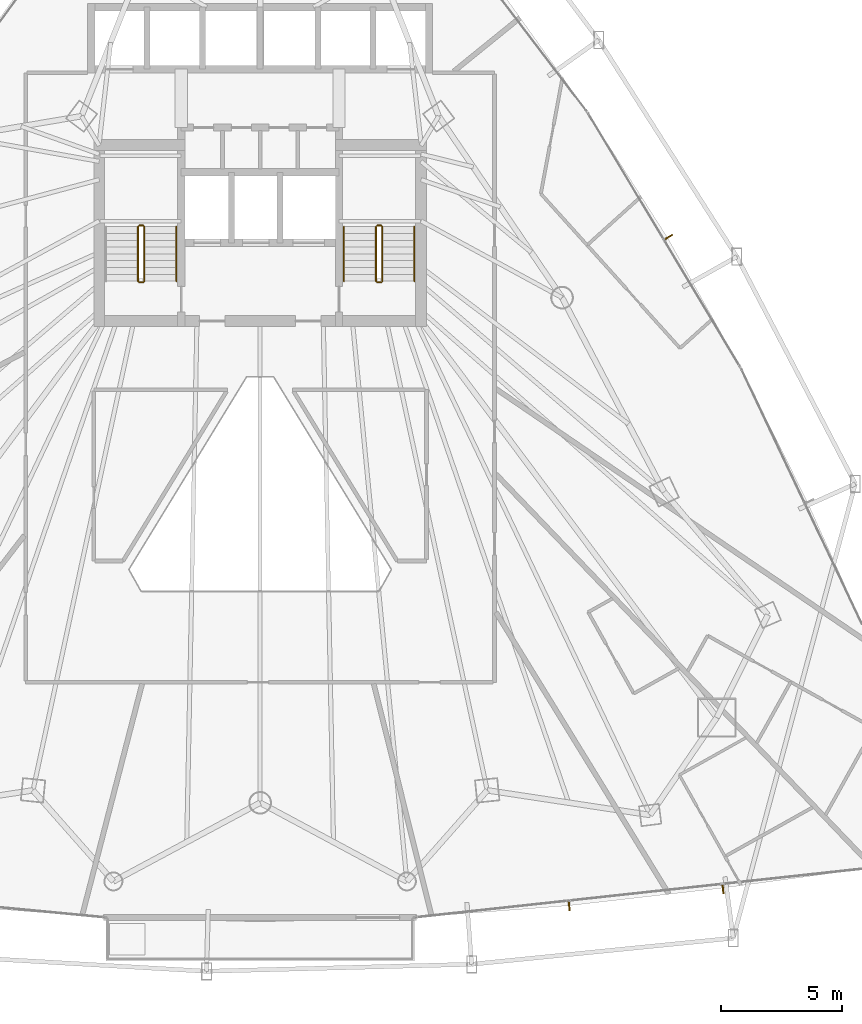
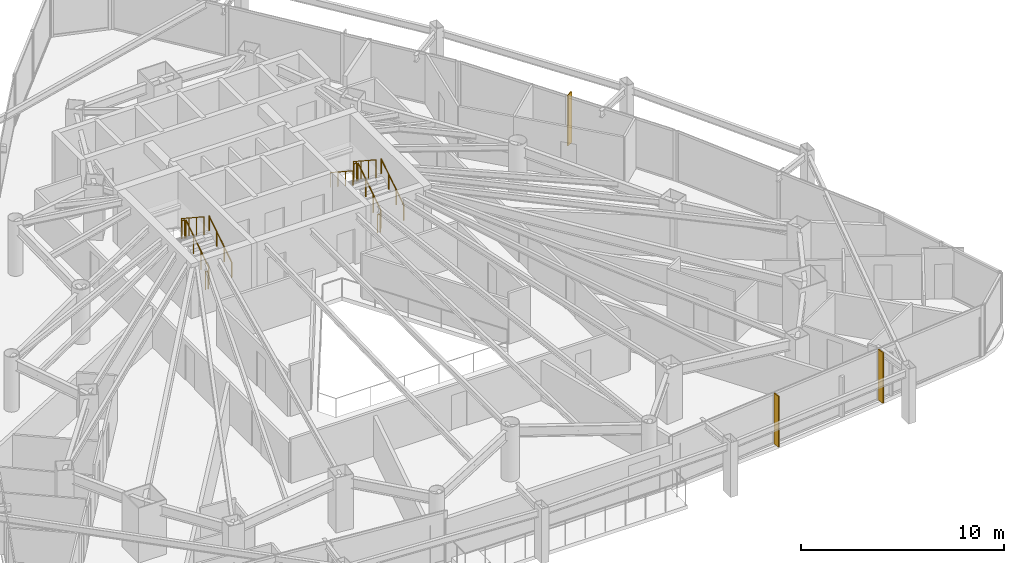
# One storey, part 33 of 34: 11 railings, 3 shading devices.
"""IFC4 building model written with IfcOpenShell, lengths in metres."""

from ifc_helpers import new_model, si_unit, direction, frame, origin, origin_2d, place, context, subcontext, project, spatial, rectangle, circle, extrude, material, layer, layer_set, type_object, element, save


model = new_model("IFC4")

# Units and contexts
model_context = context("Model", 3, precision=1e-05, world=origin(), true_north=direction((0.0, 1.0)))
body_context = subcontext(model_context, "Body", "Model", "MODEL_VIEW")
ifc_project = project(units=[si_unit("LENGTHUNIT", "METRE"), si_unit("AREAUNIT", "SQUARE_METRE"), si_unit("VOLUMEUNIT", "CUBIC_METRE"), si_unit("PLANEANGLEUNIT", "RADIAN"), si_unit("MASSUNIT", "GRAM", prefix="KILO")], contexts=[model_context])

# Site, building, storey
site_placement = place(None, origin())
site = spatial("IfcSite", under=ifc_project, at=site_placement, CompositionType="ELEMENT")
building_placement = place(site_placement, origin())
building = spatial("IfcBuilding", under=site, at=building_placement, Name="Orvanel Arch Residences", CompositionType="ELEMENT")
storey_placement = place(building_placement, frame((0.0, 0.0, 74.14990234375)))
storey = spatial("IfcBuildingStorey", under=building, at=storey_placement, Name="L20", CompositionType="ELEMENT", Elevation=74.14990234375)

# Shading devices
ifc_material_1 = material(Name="Bronze-anodised aluminium AA6063-T6", Category="aluminium")
ifc_layer = layer(ifc_material_1, 0.06005859375)
ifc_layer_set = layer_set([ifc_layer], Name="Bronze-anodised aluminium AA6063-T6")
shading_device_type = type_object("IfcShadingDeviceType", Name="FIN-BRZ-380", PredefinedType="USERDEFINED", material=ifc_layer_set)
for number, where, z_axis, x_axis, name in (
    (1, (45.72509765625, 2.593017578125, 0.0), (0.0, 0.0, 1.0), (0.107999355706, -0.994150963972, 0.0), "L20 Anodised Bronze Mullion FIN 01"),
    (2, (52.05908203125, 3.281982421875, 0.0), (0.0, 0.0, 1.0), (0.107999355706, -0.994150963972, 0.0), "L20 Anodised Bronze Mullion FIN 02"),
    (3, (49.818115234375, 30.133056640625, 0.0), (0.0, 0.0, 1.0), (0.857167300702, 0.51503807491, 0.0), "L20 Anodised Bronze Mullion FIN 01"),
):
    element("IfcShadingDevice", number, at=place(storey_placement, frame(where, z_axis=z_axis, x_axis=x_axis)), inside=storey, type_object=shading_device_type, Name=name, ObjectType="FIN", PredefinedType="USERDEFINED", context=body_context, shape_type="SweptSolid", body=[
        extrude(rectangle(XDim=0.3798828125, YDim=0.06005859375, at=origin_2d()), origin(), (0.0, 0.0, 1.0), 3.06005859375),
    ])

# Railings
ifc_material_2 = material(Name="Structural steel AS/NZS 1163 C350L0 (Grade 350)", Category="steel")
railing_type_1 = type_object("IfcRailingType", Name="RL-STAIR-GUARD", PredefinedType="GUARDRAIL", material=ifc_material_2)
railing_1_placement = place(storey_placement, frame((28.22998046875, 28.320068359375, 0.183349609375)))
element("IfcRailing", 4, at=railing_1_placement, inside=storey, type_object=railing_type_1, Name="L20 ST-1 stair guard 1", PredefinedType="GUARDRAIL", context=body_context, shape_type="SweptSolid", body=[
    extrude(circle(Radius=0.02392578125, at=origin_2d()), frame((0.0, 0.001220703125, 1.076904296875), z_axis=(0.0, 0.836595146698, 0.547821650285), x_axis=(-1.0, 0.0, 0.0)), (0.0, 0.0, 1.0), 2.674560546875),
    extrude(circle(Radius=0.02099609375, at=origin_2d()), origin(), (0.0, 0.0, 1.0), 1.050048828125),
    extrude(circle(Radius=0.02099609375, at=origin_2d()), frame((0.0, 0.74658203125, 0.489013671875)), (0.0, 0.0, 1.0), 1.050048828125),
    extrude(circle(Radius=0.02099609375, at=origin_2d()), frame((0.0, 1.493408203125, 0.977783203125)), (0.0, 0.0, 1.0), 1.050048828125),
    extrude(circle(Radius=0.02099609375, at=origin_2d()), frame((0.0, 2.239990234375, 1.466796875)), (0.0, 0.0, 1.0), 1.050048828125),
])
railing_2_placement = place(storey_placement, frame((28.179931640625, 30.610107421875, 1.650146484375)))
element("IfcRailing", 5, at=railing_2_placement, inside=storey, type_object=railing_type_1, Name="L20 ST-1 stair guard 2", PredefinedType="GUARDRAIL", context=body_context, shape_type="SweptSolid", body=[
    extrude(circle(Radius=0.02392578125, at=origin_2d()), frame((-0.00146484375, 0.0, 1.076171875), z_axis=(-1.0, 0.0, 0.0), x_axis=(0.0, -1.0, 0.0)), (0.0, 0.0, 1.0), 0.156982421875),
    extrude(circle(Radius=0.02099609375, at=origin_2d()), origin(), (0.0, 0.0, 1.0), 1.050048828125),
    extrude(circle(Radius=0.02099609375, at=origin_2d()), frame((-0.159912109375, 0.0, 0.0)), (0.0, 0.0, 1.0), 1.050048828125),
])
railing_3_placement = place(storey_placement, frame((27.969970703125, 30.56005859375, 1.83349609375)))
element("IfcRailing", 6, at=railing_3_placement, inside=storey, type_object=railing_type_1, Name="L20 ST-1 stair guard 3", PredefinedType="GUARDRAIL", context=body_context, shape_type="SweptSolid", body=[
    extrude(circle(Radius=0.02392578125, at=origin_2d()), frame((0.0, -0.001220703125, 1.076904296875), z_axis=(0.0, -0.836636935527, 0.547757827979), x_axis=(1.0, 0.0, 0.0)), (0.0, 0.0, 1.0), 2.67431640625),
    extrude(circle(Radius=0.02099609375, at=origin_2d()), origin(), (0.0, 0.0, 1.0), 1.050048828125),
    extrude(circle(Radius=0.02099609375, at=origin_2d()), frame((0.0, -0.74658203125, 0.48876953125)), (0.0, 0.0, 1.0), 1.050048828125),
    extrude(circle(Radius=0.02099609375, at=origin_2d()), frame((0.0, -1.493408203125, 0.977783203125)), (0.0, 0.0, 1.0), 1.050048828125),
    extrude(circle(Radius=0.02099609375, at=origin_2d()), frame((0.0, -2.239990234375, 1.466552734375)), (0.0, 0.0, 1.0), 1.050048828125),
])
railing_4_placement = place(storey_placement, frame((28.179931640625, 28.27001953125, 0.0)))
element("IfcRailing", 7, at=railing_4_placement, inside=storey, type_object=railing_type_1, Name="L20 ST-1 stair guard 4", PredefinedType="GUARDRAIL", context=body_context, shape_type="SweptSolid", body=[
    extrude(circle(Radius=0.02392578125, at=origin_2d()), frame((-0.00146484375, 0.0, 1.076171875), z_axis=(-1.0, 0.0, 0.0), x_axis=(0.0, -1.0, 0.0)), (0.0, 0.0, 1.0), 0.156982421875),
    extrude(circle(Radius=0.02099609375, at=origin_2d()), origin(), (0.0, 0.0, 1.0), 1.050048828125),
    extrude(circle(Radius=0.02099609375, at=origin_2d()), frame((-0.159912109375, 0.0, 0.0)), (0.0, 0.0, 1.0), 1.050048828125),
])
railing_5_placement = place(storey_placement, frame((38.030029296875, 28.320068359375, 0.183349609375)))
element("IfcRailing", 8, at=railing_5_placement, inside=storey, type_object=railing_type_1, Name="L20 ST-2 stair guard 1", PredefinedType="GUARDRAIL", context=body_context, shape_type="SweptSolid", body=[
    extrude(circle(Radius=0.02392578125, at=origin_2d()), frame((0.0, 0.001220703125, 1.076904296875), z_axis=(0.0, 0.836595146698, 0.547821650285), x_axis=(-1.0, 0.0, 0.0)), (0.0, 0.0, 1.0), 2.674560546875),
    extrude(circle(Radius=0.02099609375, at=origin_2d()), origin(), (0.0, 0.0, 1.0), 1.050048828125),
    extrude(circle(Radius=0.02099609375, at=origin_2d()), frame((0.0, 0.74658203125, 0.489013671875)), (0.0, 0.0, 1.0), 1.050048828125),
    extrude(circle(Radius=0.02099609375, at=origin_2d()), frame((0.0, 1.493408203125, 0.977783203125)), (0.0, 0.0, 1.0), 1.050048828125),
    extrude(circle(Radius=0.02099609375, at=origin_2d()), frame((0.0, 2.239990234375, 1.466796875)), (0.0, 0.0, 1.0), 1.050048828125),
])
railing_6_placement = place(storey_placement, frame((37.97998046875, 30.610107421875, 1.650146484375)))
element("IfcRailing", 9, at=railing_6_placement, inside=storey, type_object=railing_type_1, Name="L20 ST-2 stair guard 2", PredefinedType="GUARDRAIL", context=body_context, shape_type="SweptSolid", body=[
    extrude(circle(Radius=0.02392578125, at=origin_2d()), frame((-0.00146484375, 0.0, 1.076171875), z_axis=(-1.0, 0.0, 0.0), x_axis=(0.0, -1.0, 0.0)), (0.0, 0.0, 1.0), 0.156982421875),
    extrude(circle(Radius=0.02099609375, at=origin_2d()), origin(), (0.0, 0.0, 1.0), 1.050048828125),
    extrude(circle(Radius=0.02099609375, at=origin_2d()), frame((-0.159912109375, 0.0, 0.0)), (0.0, 0.0, 1.0), 1.050048828125),
])
railing_7_placement = place(storey_placement, frame((37.77001953125, 30.56005859375, 1.83349609375)))
element("IfcRailing", 10, at=railing_7_placement, inside=storey, type_object=railing_type_1, Name="L20 ST-2 stair guard 3", PredefinedType="GUARDRAIL", context=body_context, shape_type="SweptSolid", body=[
    extrude(circle(Radius=0.02392578125, at=origin_2d()), frame((0.0, -0.001220703125, 1.076904296875), z_axis=(0.0, -0.836636935527, 0.547757827979), x_axis=(1.0, 0.0, 0.0)), (0.0, 0.0, 1.0), 2.67431640625),
    extrude(circle(Radius=0.02099609375, at=origin_2d()), origin(), (0.0, 0.0, 1.0), 1.050048828125),
    extrude(circle(Radius=0.02099609375, at=origin_2d()), frame((0.0, -0.74658203125, 0.48876953125)), (0.0, 0.0, 1.0), 1.050048828125),
    extrude(circle(Radius=0.02099609375, at=origin_2d()), frame((0.0, -1.493408203125, 0.977783203125)), (0.0, 0.0, 1.0), 1.050048828125),
    extrude(circle(Radius=0.02099609375, at=origin_2d()), frame((0.0, -2.239990234375, 1.466552734375)), (0.0, 0.0, 1.0), 1.050048828125),
])
railing_8_placement = place(storey_placement, frame((37.97998046875, 28.27001953125, 0.0)))
element("IfcRailing", 11, at=railing_8_placement, inside=storey, type_object=railing_type_1, Name="L20 ST-2 stair guard 4", PredefinedType="GUARDRAIL", context=body_context, shape_type="SweptSolid", body=[
    extrude(circle(Radius=0.02392578125, at=origin_2d()), frame((-0.00146484375, 0.0, 1.076171875), z_axis=(-1.0, 0.0, 0.0), x_axis=(0.0, -1.0, 0.0)), (0.0, 0.0, 1.0), 0.156982421875),
    extrude(circle(Radius=0.02099609375, at=origin_2d()), origin(), (0.0, 0.0, 1.0), 1.050048828125),
    extrude(circle(Radius=0.02099609375, at=origin_2d()), frame((-0.159912109375, 0.0, 0.0)), (0.0, 0.0, 1.0), 1.050048828125),
])
railing_type_2 = type_object("IfcRailingType", Name="RL-STAIR-HAND", PredefinedType="HANDRAIL", material=ifc_material_2)
for number, where, name in (
    (12, (29.550048828125, 28.320068359375, 0.183349609375), "L20 ST-1 stair handrail 1"),
    (13, (39.35009765625, 28.320068359375, 0.183349609375), "L20 ST-2 stair handrail 1"),
):
    element("IfcRailing", number, at=place(storey_placement, frame(where)), inside=storey, type_object=railing_type_2, Name=name, PredefinedType="HANDRAIL", context=body_context, shape_type="SweptSolid", body=[
        extrude(circle(Radius=0.02392578125, at=origin_2d()), frame((0.0, 0.001220703125, 0.876708984375), z_axis=(0.0, 0.836595146698, 0.547821650285), x_axis=(-1.0, 0.0, 0.0)), (0.0, 0.0, 1.0), 2.674560546875),
        extrude(circle(Radius=0.02099609375, at=origin_2d()), origin(), (0.0, 0.0, 1.0), 0.849853515625),
        extrude(circle(Radius=0.02099609375, at=origin_2d()), frame((0.0, 0.74658203125, 0.489013671875)), (0.0, 0.0, 1.0), 0.849853515625),
        extrude(circle(Radius=0.02099609375, at=origin_2d()), frame((0.0, 1.493408203125, 0.977783203125)), (0.0, 0.0, 1.0), 0.849853515625),
        extrude(circle(Radius=0.02099609375, at=origin_2d()), frame((0.0, 2.239990234375, 1.466796875)), (0.0, 0.0, 1.0), 0.849853515625),
    ])
railing_9_placement = place(storey_placement, frame((36.449951171875, 30.56005859375, 1.83349609375)))
element("IfcRailing", 14, at=railing_9_placement, inside=storey, type_object=railing_type_2, Name="L20 ST-2 stair handrail 2", PredefinedType="HANDRAIL", context=body_context, shape_type="SweptSolid", body=[
    extrude(circle(Radius=0.02392578125, at=origin_2d()), frame((0.0, -0.001220703125, 0.876708984375), z_axis=(0.0, -0.836636935527, 0.547757827979), x_axis=(1.0, 0.0, 0.0)), (0.0, 0.0, 1.0), 2.67431640625),
    extrude(circle(Radius=0.02099609375, at=origin_2d()), origin(), (0.0, 0.0, 1.0), 0.849853515625),
    extrude(circle(Radius=0.02099609375, at=origin_2d()), frame((0.0, -0.74658203125, 0.48876953125)), (0.0, 0.0, 1.0), 0.849853515625),
    extrude(circle(Radius=0.02099609375, at=origin_2d()), frame((0.0, -1.493408203125, 0.977783203125)), (0.0, 0.0, 1.0), 0.849853515625),
    extrude(circle(Radius=0.02099609375, at=origin_2d()), frame((0.0, -2.239990234375, 1.466552734375)), (0.0, 0.0, 1.0), 0.849853515625),
])

save(model, "model.ifc")
